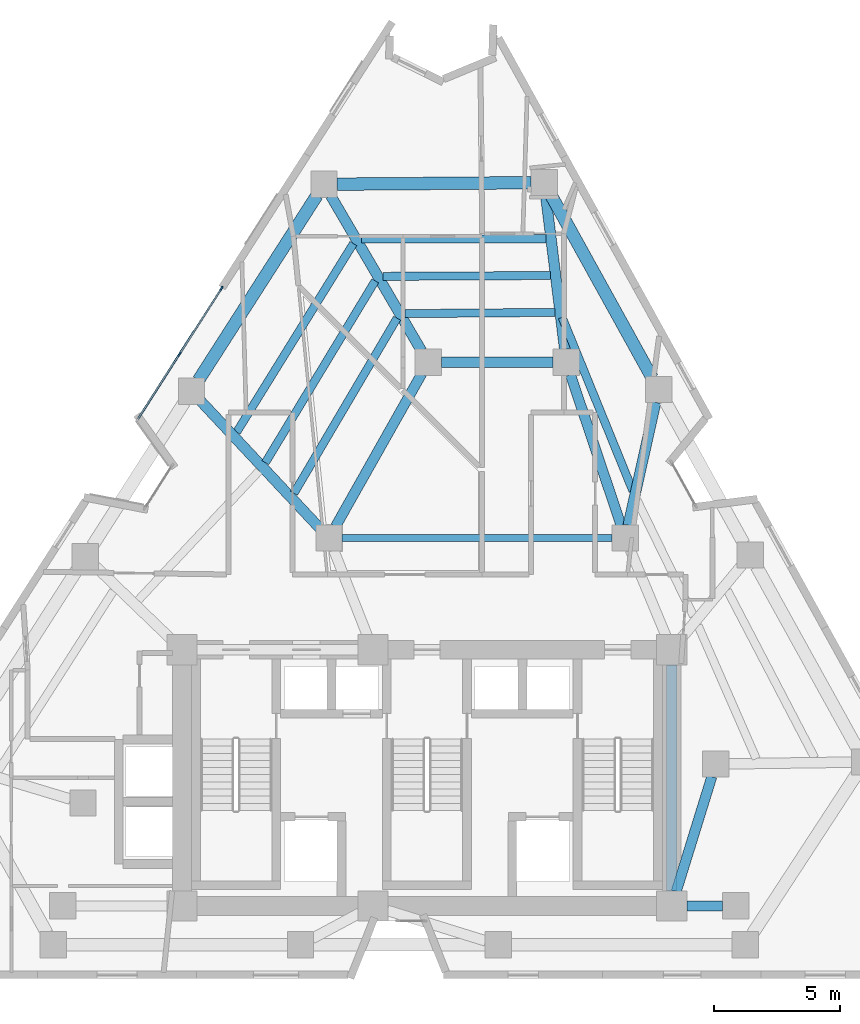
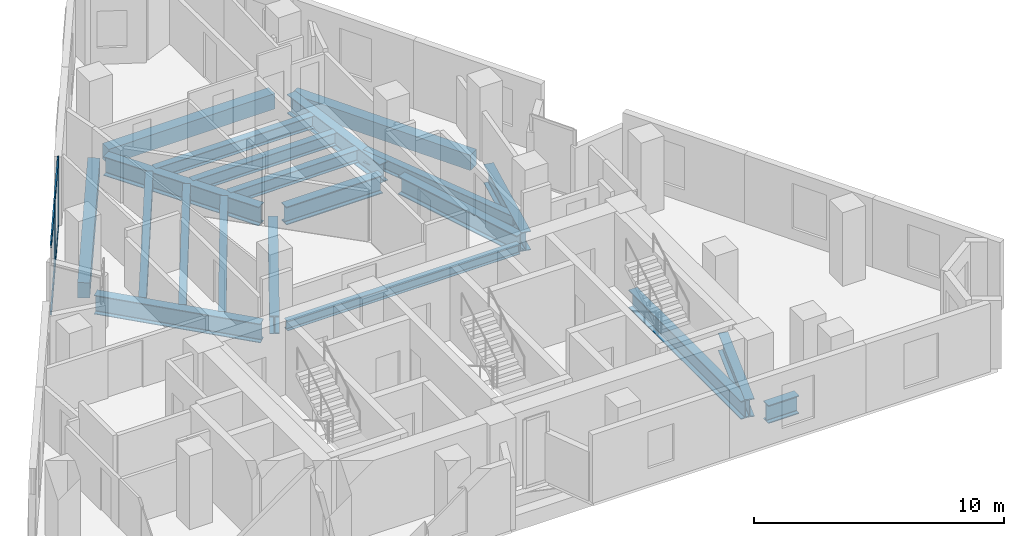
# One storey, part 3 of 10: 21 beams, 6 members, 1 element without a shape of its own.
"""IFC4 building model written with IfcOpenShell, lengths in metres."""

import ifcopenshell
import ifcopenshell.guid

model = None  # the IFC model being written
_history = None  # IfcOwnerHistory: only IFC2X3 demands one
_inside = {}  # id of a spatial element -> (the spatial element, [elements in it])
_under = {}  # id of a project, library or spatial element -> (it, [spatial elements below it])
_declared = {}  # id of a project -> (the project, [libraries it declares])
_typed = {}  # id of a type object -> (the type object, [elements of that type])
_made_of = {}  # id of a material, layer set ... -> (it, [elements and type objects made of it])


def new_model(schema):
    """Start an empty IFC model of exactly this schema.

    Asked for "IFC4X3", IfcOpenShell would pick the latest addendum, in which some entities
    have other attributes; the version numbers below select the first issue.
    IFC2X3 requires an IfcOwnerHistory on every rooted entity: one is made here for all.
    """
    global model, _history
    if schema == "IFC4X3":
        model = ifcopenshell.file(schema_version=(4, 3, 0, 0))
    else:
        model = ifcopenshell.file(schema=schema)
    _inside.clear()
    _under.clear()
    _declared.clear()
    _typed.clear()
    _made_of.clear()
    _history = None
    if model.schema == "IFC2X3":
        org = make("IfcOrganization", Name="unknown")
        user = make(
            "IfcPersonAndOrganization",
            ThePerson=make("IfcPerson", FamilyName="unknown"),
            TheOrganization=org,
        )
        app = make(
            "IfcApplication",
            ApplicationDeveloper=org,
            Version="unknown",
            ApplicationFullName="unknown",
            ApplicationIdentifier="unknown",
        )
        _history = make(
            "IfcOwnerHistory",
            OwningUser=user,
            OwningApplication=app,
            ChangeAction="ADDED",
            CreationDate=0,
        )
    return model


def make(cls, **values):
    """One entity of the class cls with the attributes given. An attribute that is None is left unset."""
    return model.create_entity(
        cls, **{name: value for name, value in values.items() if value is not None}
    )


def rooted(cls, **values):
    """An entity with a GlobalId (a new one), such as an element, a storey or a relation."""
    return make(cls, GlobalId=ifcopenshell.guid.new(), OwnerHistory=_history, **values)


def si_unit(unit_type, name, prefix=None):
    """IfcSIUnit, for example si_unit("LENGTHUNIT", "METRE", prefix="MILLI")."""
    return make("IfcSIUnit", UnitType=unit_type, Prefix=prefix, Name=name)


def assignment(units):
    """IfcUnitAssignment: the units of a project."""
    return None if units is None else make("IfcUnitAssignment", Units=units)


def point(xyz):
    """IfcCartesianPoint."""
    return None if xyz is None else make("IfcCartesianPoint", Coordinates=xyz)


def direction(xyz):
    """IfcDirection."""
    return None if xyz is None else make("IfcDirection", DirectionRatios=xyz)


def frame(location, z_axis=None, x_axis=None):
    """IfcAxis2Placement3D, a coordinate frame: its origin and axes. An axis left out is left unset."""
    return make(
        "IfcAxis2Placement3D",
        Location=point(location),
        Axis=direction(z_axis),
        RefDirection=direction(x_axis),
    )


def frame_2d(location, x_axis=None):
    """IfcAxis2Placement2D, a coordinate frame in the plane: its origin and x axis."""
    return make(
        "IfcAxis2Placement2D", Location=point(location), RefDirection=direction(x_axis)
    )


def origin():
    """The frame at (0, 0, 0) with its axes left unset."""
    return frame((0.0, 0.0, 0.0))


def origin_2d():
    """The frame at (0, 0) in the plane with its x axis left unset."""
    return frame_2d((0.0, 0.0))


def place(relative_to, where):
    """IfcLocalPlacement: puts the frame where relative to a parent placement (None: the world)."""
    return make(
        "IfcLocalPlacement", PlacementRelTo=relative_to, RelativePlacement=where
    )


def context(
    kind, dimensions, precision=None, world=None, true_north=None, identifier=None
):
    """IfcGeometricRepresentationContext, for example the 3D "Model" context."""
    return make(
        "IfcGeometricRepresentationContext",
        ContextIdentifier=identifier,
        ContextType=kind,
        CoordinateSpaceDimension=dimensions,
        Precision=precision,
        WorldCoordinateSystem=world,
        TrueNorth=true_north,
    )


def subcontext(parent, identifier, kind, view, scale=None):
    """IfcGeometricRepresentationSubContext, for example "Body" below "Model"."""
    return make(
        "IfcGeometricRepresentationSubContext",
        ContextIdentifier=identifier,
        ContextType=kind,
        ParentContext=parent,
        TargetScale=scale,
        TargetView=view,
    )


def project(units=None, contexts=None):
    """IfcProject with its units and contexts."""
    return rooted(
        "IfcProject",
        Name="project",
        RepresentationContexts=contexts,
        UnitsInContext=assignment(units),
    )


def spatial(cls, under=None, at=None, **own):
    """A site, building, storey or space (cls), placed at a placement, below another one or the project."""
    s = rooted(cls, ObjectPlacement=at, **own)
    if under is not None:
        _under.setdefault(under.id(), (under, []))[1].append(s)
    return s


def profile(cls, at=None, kind="AREA", **sizes):
    """A parametric profile (cls). Its sizes go by their IFC names, for example OverallWidth=200.0."""
    return make(cls, ProfileType=kind, Position=at, **sizes)


def rectangle(**sizes):
    """IfcRectangleProfileDef."""
    return profile("IfcRectangleProfileDef", **sizes)


def i_section(**sizes):
    """IfcIShapeProfileDef."""
    return profile("IfcIShapeProfileDef", **sizes)


def extrude(swept, where, along, depth):
    """IfcExtrudedAreaSolid: the profile swept, set in the frame where, extruded along a direction by depth."""
    return make(
        "IfcExtrudedAreaSolid",
        SweptArea=swept,
        Position=where,
        ExtrudedDirection=direction(along),
        Depth=depth,
    )


def shape(context_of_items, identifier, shape_type, items):
    """IfcShapeRepresentation: the items that make up one representation, for example the "Body"."""
    return make(
        "IfcShapeRepresentation",
        ContextOfItems=context_of_items,
        RepresentationIdentifier=identifier,
        RepresentationType=shape_type,
        Items=items,
    )


def material(Name=None, Category=None):
    """IfcMaterial."""
    return make("IfcMaterial", Name=Name, Category=Category)


def layer(
    of_material, thickness, ventilated=None, Name=None, Category=None, Priority=None
):
    """IfcMaterialLayer: one layer of a wall or slab, of a material (None: an air gap)."""
    return make(
        "IfcMaterialLayer",
        Material=of_material,
        LayerThickness=thickness,
        IsVentilated=ventilated,
        Name=Name,
        Category=Category,
        Priority=Priority,
    )


def layer_set(layers, Name=None):
    """IfcMaterialLayerSet."""
    return make("IfcMaterialLayerSet", MaterialLayers=layers, LayerSetName=Name)


def material_profile(
    of_material, cross_section, Name=None, Category=None, Priority=None
):
    """IfcMaterialProfile: a cross section and its material."""
    return make(
        "IfcMaterialProfile",
        Name=Name,
        Material=of_material,
        Profile=cross_section,
        Priority=Priority,
        Category=Category,
    )


def profile_set(profiles, Name=None, composite=None):
    """IfcMaterialProfileSet."""
    return make(
        "IfcMaterialProfileSet",
        Name=Name,
        MaterialProfiles=profiles,
        CompositeProfile=composite,
    )


def made_of(thing, what):
    """Note that an element or type object is made of a material, layer set ...; save() writes the relation."""
    if what is not None:
        _made_of.setdefault(what.id(), (what, []))[1].append(thing)
    return thing


def type_object(cls, material=None, **own):
    """A type object (cls), such as IfcWallType, which elements share."""
    return made_of(rooted(cls, **own), material)


def element(
    cls,
    number,
    at=None,
    inside=None,
    cuts=None,
    type_object=None,
    material=None,
    context=None,
    identifier="Body",
    shape_type=None,
    held_by="IfcProductDefinitionShape",
    body=None,
    shapes=None,
    **own,
):
    """One element of the class cls, such as IfcWall. Its Tag is "e" and its number.

    at: its placement. inside: the storey or other place that contains it. cuts: it is an
    opening in that element (IfcRelVoidsElement). A single representation is given by context,
    identifier, shape_type and body (its items); several are given by shapes. held_by: the class
    of the entity that holds the representations. save() writes the other relations.
    """
    e = rooted(cls, Tag="e%d" % number, ObjectPlacement=at, **own)
    if body is not None:
        shapes = [shape(context, identifier, shape_type, body)]
    if shapes is not None:
        e.Representation = make(held_by, Representations=shapes)
    if inside is not None:
        _inside.setdefault(inside.id(), (inside, []))[1].append(e)
    if cuts is not None:
        rooted(
            "IfcRelVoidsElement", RelatingBuildingElement=cuts, RelatedOpeningElement=e
        )
    if type_object is not None:
        _typed.setdefault(type_object.id(), (type_object, []))[1].append(e)
    return made_of(e, material)


def aggregate(whole, parts):
    """IfcRelAggregates: a whole, such as a stair, and the parts it consists of."""
    return rooted("IfcRelAggregates", RelatingObject=whole, RelatedObjects=parts)


def save(model, path):
    """Write the relations noted so far, then the file.

    IfcRelAggregates (storeys below a building ...), IfcRelContainedInSpatialStructure (elements
    in a storey), IfcRelDefinesByType, IfcRelAssociatesMaterial and IfcRelDeclares: one each for
    every whole, place, type object, material and project.
    """
    for whole, parts in _under.values():
        aggregate(whole, parts)
    for where, things in _inside.values():
        rooted(
            "IfcRelContainedInSpatialStructure",
            RelatedElements=things,
            RelatingStructure=where,
        )
    for kind, things in _typed.values():
        rooted("IfcRelDefinesByType", RelatedObjects=things, RelatingType=kind)
    for what, things in _made_of.values():
        rooted("IfcRelAssociatesMaterial", RelatedObjects=things, RelatingMaterial=what)
    for by, libraries in _declared.values():
        rooted("IfcRelDeclares", RelatingContext=by, RelatedDefinitions=libraries)
    model.write(path)


model = new_model("IFC4")

# Units and contexts
model_context = context("Model", 3, precision=1e-05, world=origin(), true_north=direction((0.0, 1.0)))
body_context = subcontext(model_context, "Body", "Model", "MODEL_VIEW")
ifc_project = project(units=[si_unit("LENGTHUNIT", "METRE"), si_unit("AREAUNIT", "SQUARE_METRE"), si_unit("VOLUMEUNIT", "CUBIC_METRE"), si_unit("PLANEANGLEUNIT", "RADIAN"), si_unit("MASSUNIT", "GRAM", prefix="KILO")], contexts=[model_context])

# Site, building, storey
site_placement = place(None, origin())
site = spatial("IfcSite", under=ifc_project, at=site_placement, CompositionType="ELEMENT")
building_placement = place(site_placement, origin())
building = spatial("IfcBuilding", under=site, at=building_placement, Name="Almagre Mirador Tower", CompositionType="ELEMENT")
storey_placement = place(building_placement, frame((0.0, 0.0, 164.39990234375)))
storey = spatial("IfcBuildingStorey", under=building, at=storey_placement, Name="L42", CompositionType="ELEMENT", Elevation=164.39990234375)

# Beams
ifc_material_1 = material(Name="Steel ASTM A992 Grade 50", Category="steel")
ifc_material_profile_1 = material_profile(ifc_material_1, i_section(OverallWidth=0.281982421875, OverallDepth=0.467041015625, WebThickness=0.01220703125, FlangeThickness=0.01953125, FilletRadius=0.01611328125, at=origin_2d()), Name="W18X86")
ifc_profile_set_1 = profile_set([ifc_material_profile_1], Name="Steel ASTM A992 Grade 50")
beam_type_1 = type_object("IfcBeamType", Name="BM-BAL-W18X86", PredefinedType="JOIST", material=ifc_profile_set_1)
beam_1_placement = place(storey_placement, frame((33.925048828125, 19.199951171875, -0.4833984375), z_axis=(1.0, 0.0, 0.0), x_axis=(0.0, 1.0, 0.0)))
element("IfcBeam", 1, at=beam_1_placement, inside=storey, type_object=beam_type_1, Name="L42 secondary header beam BB-01", PredefinedType="JOIST", context=body_context, shape_type="SweptSolid", body=[
    extrude(i_section(OverallWidth=0.281982421875, OverallDepth=0.467041015625, WebThickness=0.01220703125, FlangeThickness=0.01953125, FilletRadius=0.01611328125, at=origin_2d()), origin(), (0.0, 0.0, 1.0), 10.75),
])
ifc_material_2 = material(Name="Steel ASTM A992 Grade 50", Category="steel")
ifc_material_profile_2 = material_profile(ifc_material_2, i_section(OverallWidth=0.323974609375, OverallDepth=0.611083984375, WebThickness=0.0126953125, FlangeThickness=0.01904296875, FilletRadius=0.02001953125, at=origin_2d()), Name="W24X104")
ifc_profile_set_2 = profile_set([ifc_material_profile_2], Name="Steel ASTM A992 Grade 50")
beam_type_2 = type_object("IfcBeamType", Name="BM-JST-W24X104", PredefinedType="JOIST", material=ifc_profile_set_2)
beam_2_placement = place(storey_placement, frame((45.4990234375, 21.07958984375, -0.555419921875), z_axis=(-0.377145237856, 0.926154128406, 0.0), x_axis=(-0.926154128406, -0.377145237856, 0.0)))
element("IfcBeam", 2, at=beam_2_placement, inside=storey, type_object=beam_type_2, Name="L42 secondary floor joist PC07-PC08.3", PredefinedType="JOIST", context=body_context, shape_type="SweptSolid", body=[
    extrude(i_section(OverallWidth=0.323974609375, OverallDepth=0.611083984375, WebThickness=0.0126953125, FlangeThickness=0.01904296875, FilletRadius=0.02001953125, at=origin_2d()), origin(), (0.0, 0.0, 1.0), 7.46630859375),
])
beam_3_placement = place(storey_placement, frame((42.032958984375, 31.121826171875, -0.555419921875), z_axis=(-0.999997444767, -0.002260632521, 0.0), x_axis=(0.002260632521, -0.999997444767, 0.0)))
element("IfcBeam", 3, at=beam_3_placement, inside=storey, type_object=beam_type_2, Name="L42 secondary floor joist PC08-PC09.1", PredefinedType="JOIST", context=body_context, shape_type="SweptSolid", body=[
    extrude(i_section(OverallWidth=0.323974609375, OverallDepth=0.611083984375, WebThickness=0.0126953125, FlangeThickness=0.01904296875, FilletRadius=0.02001953125, at=origin_2d()), origin(), (0.0, 0.0, 1.0), 7.34375),
])
beam_4_placement = place(storey_placement, frame((42.214111328125, 29.654296875, -0.555419921875), z_axis=(-0.999988103405, -0.004877811845, 0.0), x_axis=(0.004877811845, -0.999988103405, 0.0)))
element("IfcBeam", 4, at=beam_4_placement, inside=storey, type_object=beam_type_2, Name="L42 secondary floor joist PC08-PC09.2", PredefinedType="JOIST", context=body_context, shape_type="SweptSolid", body=[
    extrude(i_section(OverallWidth=0.323974609375, OverallDepth=0.611083984375, WebThickness=0.0126953125, FlangeThickness=0.01904296875, FilletRadius=0.02001953125, at=origin_2d()), origin(), (0.0, 0.0, 1.0), 6.65673828125),
])
beam_5_placement = place(storey_placement, frame((42.3955078125, 28.186279296875, -0.555419921875), z_axis=(-0.999968205338, -0.007974228113, 0.0), x_axis=(0.007974228113, -0.999968205338, 0.0)))
element("IfcBeam", 5, at=beam_5_placement, inside=storey, type_object=beam_type_2, Name="L42 secondary floor joist PC08-PC09.3", PredefinedType="JOIST", context=body_context, shape_type="SweptSolid", body=[
    extrude(i_section(OverallWidth=0.323974609375, OverallDepth=0.611083984375, WebThickness=0.0126953125, FlangeThickness=0.01904296875, FilletRadius=0.02001953125, at=origin_2d()), origin(), (0.0, 0.0, 1.0), 5.97021484375),
])
beam_6_placement = place(storey_placement, frame((34.3701171875, 30.927001953125, -0.555419921875), z_axis=(-0.526297490508, -0.850300506577, 0.0), x_axis=(0.850300506577, -0.526297490508, 0.0)))
element("IfcBeam", 6, at=beam_6_placement, inside=storey, type_object=beam_type_2, Name="L42 secondary floor joist PC09-PC10.1", PredefinedType="JOIST", context=body_context, shape_type="SweptSolid", body=[
    extrude(i_section(OverallWidth=0.323974609375, OverallDepth=0.611083984375, WebThickness=0.0126953125, FlangeThickness=0.01904296875, FilletRadius=0.02001953125, at=origin_2d()), origin(), (0.0, 0.0, 1.0), 8.828125),
])
beam_7_placement = place(storey_placement, frame((35.240234375, 29.44189453125, -0.555419921875), z_axis=(-0.5172600995, -0.855828247644, 0.0), x_axis=(0.855828247644, -0.5172600995, 0.0)))
element("IfcBeam", 7, at=beam_7_placement, inside=storey, type_object=beam_type_2, Name="L42 secondary floor joist PC09-PC10.2", PredefinedType="JOIST", context=body_context, shape_type="SweptSolid", body=[
    extrude(i_section(OverallWidth=0.323974609375, OverallDepth=0.611083984375, WebThickness=0.0126953125, FlangeThickness=0.01904296875, FilletRadius=0.02001953125, at=origin_2d()), origin(), (0.0, 0.0, 1.0), 8.4599609375),
])
beam_8_placement = place(storey_placement, frame((36.110595703125, 27.956787109375, -0.555419921875), z_axis=(-0.507370781605, -0.861727851455, 0.0), x_axis=(0.861727851455, -0.507370781605, 0.0)))
element("IfcBeam", 8, at=beam_8_placement, inside=storey, type_object=beam_type_2, Name="L42 secondary floor joist PC09-PC10.3", PredefinedType="JOIST", context=body_context, shape_type="SweptSolid", body=[
    extrude(i_section(OverallWidth=0.323974609375, OverallDepth=0.611083984375, WebThickness=0.0126953125, FlangeThickness=0.01904296875, FilletRadius=0.02001953125, at=origin_2d()), origin(), (0.0, 0.0, 1.0), 8.092529296875),
])
ifc_material_3 = material(Name="Precast concrete C50/60", Category="concrete")
ifc_material_profile_3 = material_profile(ifc_material_3, rectangle(XDim=0.5, YDim=0.75, at=origin_2d()), Name="RC500X750")
ifc_profile_set_3 = profile_set([ifc_material_profile_3], Name="Precast concrete C50/60")
beam_type_3 = type_object("IfcBeamType", Name="BM-SPN-RC500X750", PredefinedType="SPANDREL", material=ifc_profile_set_3)
beam_9_placement = place(storey_placement, frame((46.271728515625, 25.574462890625, -0.625), z_axis=(-0.484205406649, 0.874954355479, 0.0), x_axis=(-0.874954355479, -0.484205406649, 0.0)))
element("IfcBeam", 9, at=beam_9_placement, inside=storey, type_object=beam_type_3, Name="L42 perimeter spandrel beam PC07-PC08", PredefinedType="SPANDREL", context=body_context, shape_type="SweptSolid", body=[
    extrude(rectangle(XDim=0.5, YDim=0.75, at=origin_2d()), origin(), (0.0, 0.0, 1.0), 8.367431640625),
])
beam_10_placement = place(storey_placement, frame((41.44091796875, 33.35107421875, -0.625), z_axis=(-0.999971631183, -0.007532385372, 0.0), x_axis=(0.007532385372, -0.999971631183, 0.0)))
element("IfcBeam", 10, at=beam_10_placement, inside=storey, type_object=beam_type_3, Name="L42 perimeter spandrel beam PC08-PC09", PredefinedType="SPANDREL", context=body_context, shape_type="SweptSolid", body=[
    extrude(rectangle(XDim=0.5, YDim=0.75, at=origin_2d()), origin(), (0.0, 0.0, 1.0), 7.714111328125),
])
beam_11_placement = place(storey_placement, frame((32.918701171875, 32.846923828125, -0.625), z_axis=(-0.539525433851, -0.841969302426, 0.0), x_axis=(0.841969302426, -0.539525433851, 0.0)))
element("IfcBeam", 11, at=beam_11_placement, inside=storey, type_object=beam_type_3, Name="L42 perimeter spandrel beam PC09-PC10", PredefinedType="SPANDREL", context=body_context, shape_type="SweptSolid", body=[
    extrude(rectangle(XDim=0.5, YDim=0.75, at=origin_2d()), origin(), (0.0, 0.0, 1.0), 8.736572265625),
])
ifc_material_4 = material(Name="Steel ASTM A992 Grade 50", Category="steel")
ifc_material_profile_4 = material_profile(ifc_material_4, i_section(OverallWidth=0.404052734375, OverallDepth=0.884033203125, WebThickness=0.0244140625, FlangeThickness=0.0439453125, FilletRadius=0.02490234375, at=origin_2d()), Name="W33X291")
ifc_profile_set_4 = profile_set([ifc_material_profile_4], Name="Steel ASTM A992 Grade 50")
beam_type_4 = type_object("IfcBeamType", Name="BM-STL-W33X291", PredefinedType="BEAM", material=ifc_profile_set_4)
beam_12_placement = place(storey_placement, frame((37.875, 26.199951171875, -0.69189453125), z_axis=(1.0, 0.0, 0.0), x_axis=(0.0, 1.0, 0.0)))
element("IfcBeam", 12, at=beam_12_placement, inside=storey, type_object=beam_type_4, Name="L42 core tie girder MC7-MC6", PredefinedType="BEAM", context=body_context, shape_type="SweptSolid", body=[
    extrude(i_section(OverallWidth=0.404052734375, OverallDepth=0.884033203125, WebThickness=0.0244140625, FlangeThickness=0.0439453125, FilletRadius=0.02490234375, at=origin_2d()), origin(), (0.0, 0.0, 1.0), 4.449951171875),
])
beam_13_placement = place(storey_placement, frame((47.050048828125, 5.14990234375, -0.69189453125), z_axis=(0.0, 1.0, 0.0), x_axis=(-1.0, 0.0, 0.0)))
element("IfcBeam", 13, at=beam_13_placement, inside=storey, type_object=beam_type_4, Name="L42 core tie girder CC3-CC6", PredefinedType="BEAM", context=body_context, shape_type="SweptSolid", body=[
    extrude(i_section(OverallWidth=0.404052734375, OverallDepth=0.884033203125, WebThickness=0.0244140625, FlangeThickness=0.0439453125, FilletRadius=0.02490234375, at=origin_2d()), origin(), (0.0, 0.0, 1.0), 9.0),
])
beam_14_placement = place(storey_placement, frame((49.074951171875, 4.550048828125, -0.69189453125), z_axis=(-1.0, 0.0, 0.0), x_axis=(0.0, -1.0, 0.0)))
element("IfcBeam", 14, at=beam_14_placement, inside=storey, type_object=beam_type_4, Name="L42 core tie girder MC2-CC3", PredefinedType="BEAM", context=body_context, shape_type="SweptSolid", body=[
    extrude(i_section(OverallWidth=0.404052734375, OverallDepth=0.884033203125, WebThickness=0.0244140625, FlangeThickness=0.0439453125, FilletRadius=0.02490234375, at=origin_2d()), origin(), (0.0, 0.0, 1.0), 1.425048828125),
])
beam_15_placement = place(storey_placement, frame((48.644775390625, 9.698486328125, -0.69189453125), z_axis=(-0.295879743348, -0.955225197258, 0.0), x_axis=(0.955225197258, -0.295879743348, 0.0)))
element("IfcBeam", 15, at=beam_15_placement, inside=storey, type_object=beam_type_4, Name="L42 core tie girder MC3-CC3", PredefinedType="BEAM", context=body_context, shape_type="SweptSolid", body=[
    extrude(i_section(OverallWidth=0.404052734375, OverallDepth=0.884033203125, WebThickness=0.0244140625, FlangeThickness=0.0439453125, FilletRadius=0.02490234375, at=origin_2d()), origin(), (0.0, 0.0, 1.0), 4.789794921875),
])
beam_16_placement = place(storey_placement, frame((43.01708984375, 25.702392578125, -0.69189453125), z_axis=(0.318262189587, -0.948002731367, 0.0), x_axis=(0.948002731367, 0.318262189587, 0.0)))
element("IfcBeam", 16, at=beam_16_placement, inside=storey, type_object=beam_type_4, Name="L42 core tie girder MC6-MC5", PredefinedType="BEAM", context=body_context, shape_type="SweptSolid", body=[
    extrude(i_section(OverallWidth=0.404052734375, OverallDepth=0.884033203125, WebThickness=0.0244140625, FlangeThickness=0.0439453125, FilletRadius=0.02490234375, at=origin_2d()), origin(), (0.0, 0.0, 1.0), 6.333984375),
])
beam_17_placement = place(storey_placement, frame((37.092041015625, 25.742919921875, -0.69189453125), z_axis=(-0.491443510044, -0.870909453638, 0.0), x_axis=(0.870909453638, -0.491443510044, 0.0)))
element("IfcBeam", 17, at=beam_17_placement, inside=storey, type_object=beam_type_4, Name="L42 core tie girder MC7-MC8", PredefinedType="BEAM", context=body_context, shape_type="SweptSolid", body=[
    extrude(i_section(OverallWidth=0.404052734375, OverallDepth=0.884033203125, WebThickness=0.0244140625, FlangeThickness=0.0439453125, FilletRadius=0.02490234375, at=origin_2d()), origin(), (0.0, 0.0, 1.0), 6.98779296875),
])
ifc_material_5 = material(Name="Steel ASTM A992 Grade 50", Category="steel")
ifc_material_profile_5 = material_profile(ifc_material_5, i_section(OverallWidth=0.41796875, OverallDepth=0.927001953125, WebThickness=0.019287109375, FlangeThickness=0.031982421875, FilletRadius=0.028076171875, at=origin_2d()), Name="W36X231")
ifc_profile_set_5 = profile_set([ifc_material_profile_5], Name="Steel ASTM A992 Grade 50")
beam_type_5 = type_object("IfcBeamType", Name="BM-STL-W36X231", PredefinedType="BEAM", material=ifc_profile_set_5)
beam_18_placement = place(storey_placement, frame((46.4111328125, 24.602783203125, -0.71337890625), z_axis=(-0.21877143467, -0.975776131791, 0.0), x_axis=(0.975776131791, -0.21877143467, 0.0)))
element("IfcBeam", 18, at=beam_18_placement, inside=storey, type_object=beam_type_5, Name="L42 radial floor girder PC07-MC5", PredefinedType="BEAM", context=body_context, shape_type="SweptSolid", body=[
    extrude(i_section(OverallWidth=0.41796875, OverallDepth=0.927001953125, WebThickness=0.019287109375, FlangeThickness=0.031982421875, FilletRadius=0.028076171875, at=origin_2d()), origin(), (0.0, 0.0, 1.0), 5.01171875),
])
beam_19_placement = place(storey_placement, frame((42.030517578125, 32.833984375, -0.71337890625), z_axis=(0.122595496619, -0.99245672158, 0.0), x_axis=(0.99245672158, 0.122595496619, 0.0)))
element("IfcBeam", 19, at=beam_19_placement, inside=storey, type_object=beam_type_5, Name="L42 radial floor girder PC08-MC6", PredefinedType="BEAM", context=body_context, shape_type="SweptSolid", body=[
    extrude(i_section(OverallWidth=0.41796875, OverallDepth=0.927001953125, WebThickness=0.019287109375, FlangeThickness=0.031982421875, FilletRadius=0.028076171875, at=origin_2d()), origin(), (0.0, 0.0, 1.0), 6.159423828125),
])
beam_20_placement = place(storey_placement, frame((33.467041015625, 32.8359375, -0.71337890625), z_axis=(0.50504237399, -0.863094548977, 0.0), x_axis=(0.863094548977, 0.50504237399, 0.0)))
element("IfcBeam", 20, at=beam_20_placement, inside=storey, type_object=beam_type_5, Name="L42 radial floor girder PC09-MC7", PredefinedType="BEAM", context=body_context, shape_type="SweptSolid", body=[
    extrude(i_section(OverallWidth=0.41796875, OverallDepth=0.927001953125, WebThickness=0.019287109375, FlangeThickness=0.031982421875, FilletRadius=0.028076171875, at=origin_2d()), origin(), (0.0, 0.0, 1.0), 7.16357421875),
])
beam_21_placement = place(storey_placement, frame((28.281005859375, 24.665771484375, -0.71337890625), z_axis=(0.683570174234, -0.729884797004, 0.0), x_axis=(0.729884797004, 0.683570174234, 0.0)))
element("IfcBeam", 21, at=beam_21_placement, inside=storey, type_object=beam_type_5, Name="L42 radial floor girder PC10-MC8", PredefinedType="BEAM", context=body_context, shape_type="SweptSolid", body=[
    extrude(i_section(OverallWidth=0.41796875, OverallDepth=0.927001953125, WebThickness=0.019287109375, FlangeThickness=0.031982421875, FilletRadius=0.028076171875, at=origin_2d()), origin(), (0.0, 0.0, 1.0), 6.96337890625),
])

# Curtain wall, members
ifc_material_6 = material(Name="Black anodized aluminium", Category="aluminium")
ifc_layer = layer(ifc_material_6, 0.199951171875)
ifc_layer_set = layer_set([ifc_layer], Name="Black anodized aluminium")
curtain_wall_type = type_object("IfcCurtainWallType", Name="CW-RES-H-SYS", PredefinedType="NOTDEFINED", material=ifc_layer_set)
curtain_wall_placement = place(storey_placement, origin())
curtain_wall = element("IfcCurtainWall", 22, at=curtain_wall_placement, inside=storey, type_object=curtain_wall_type, Name="L42 curtain wall run 02", PredefinedType="NOTDEFINED")
ifc_material_7 = material(Name="Black anodized aluminium", Category="aluminium")
ifc_material_profile_6 = material_profile(ifc_material_7, rectangle(XDim=0.06494140625, YDim=0.179931640625, at=origin_2d()), Name="CWM65X180")
ifc_profile_set_6 = profile_set([ifc_material_profile_6], Name="Black anodized aluminium")
member_type_1 = type_object("IfcMemberType", Name="MBR-CWM65X180", PredefinedType="MULLION", material=ifc_profile_set_6)
member_1_placement = place(storey_placement, frame((27.444091796875, 26.52685546875, 0.0), z_axis=(0.0, 0.0, 1.0), x_axis=(-0.841971477042, 0.539522040187, 0.0)))
member_1 = element("IfcMember", 23, at=member_1_placement, type_object=member_type_1, Name="CW-3 mullion 2", PredefinedType="MULLION", context=body_context, shape_type="SweptSolid", body=[
    extrude(rectangle(XDim=0.06494140625, YDim=0.179931640625, at=origin_2d()), origin(), (0.0, 0.0, 1.0), 3.35009765625),
])
member_2_placement = place(storey_placement, frame((29.121337890625, 29.14404296875, 0.0), z_axis=(0.0, 0.0, 1.0), x_axis=(-0.841971477042, 0.539522040187, 0.0)))
member_2 = element("IfcMember", 24, at=member_2_placement, type_object=member_type_1, Name="CW-3 mullion 3", PredefinedType="MULLION", context=body_context, shape_type="SweptSolid", body=[
    extrude(rectangle(XDim=0.06494140625, YDim=0.179931640625, at=origin_2d()), origin(), (0.0, 0.0, 1.0), 3.35009765625),
])
ifc_material_8 = material(Name="Black anodized aluminium", Category="aluminium")
ifc_material_profile_7 = material_profile(ifc_material_8, rectangle(XDim=0.06494140625, YDim=0.14990234375, at=origin_2d()), Name="CWT65X150")
ifc_profile_set_7 = profile_set([ifc_material_profile_7], Name="Black anodized aluminium")
member_type_2 = type_object("IfcMemberType", Name="MBR-CWT65X150", PredefinedType="USERDEFINED", material=ifc_profile_set_7)
member_3_placement = place(storey_placement, frame((25.78466796875, 23.936767578125, 0.03271484375), z_axis=(0.539483867377, 0.841995936356, 0.0), x_axis=(-0.841995936356, 0.539483867377, 0.0)))
member_3 = element("IfcMember", 25, at=member_3_placement, type_object=member_type_2, Name="CW-3 transom 1.1", ObjectType="TRANSOM", PredefinedType="USERDEFINED", context=body_context, shape_type="SweptSolid", body=[
    extrude(rectangle(XDim=0.06494140625, YDim=0.14990234375, at=origin_2d()), origin(), (0.0, 0.0, 1.0), 3.04345703125),
])
member_4_placement = place(storey_placement, frame((25.78466796875, 23.936767578125, 3.317626953125), z_axis=(0.539483867377, 0.841995936356, 0.0), x_axis=(-0.841995936356, 0.539483867377, 0.0)))
member_4 = element("IfcMember", 26, at=member_4_placement, type_object=member_type_2, Name="CW-3 transom 1.2", ObjectType="TRANSOM", PredefinedType="USERDEFINED", context=body_context, shape_type="SweptSolid", body=[
    extrude(rectangle(XDim=0.06494140625, YDim=0.14990234375, at=origin_2d()), origin(), (0.0, 0.0, 1.0), 3.04345703125),
])
member_5_placement = place(storey_placement, frame((27.461669921875, 26.55419921875, 0.03271484375), z_axis=(0.539540736689, 0.841959496326, 0.0), x_axis=(-0.841959496326, 0.539540736689, 0.0)))
member_5 = element("IfcMember", 27, at=member_5_placement, type_object=member_type_2, Name="CW-3 transom 2.1", ObjectType="TRANSOM", PredefinedType="USERDEFINED", context=body_context, shape_type="SweptSolid", body=[
    extrude(rectangle(XDim=0.06494140625, YDim=0.14990234375, at=origin_2d()), origin(), (0.0, 0.0, 1.0), 3.04345703125),
])
member_6_placement = place(storey_placement, frame((27.461669921875, 26.55419921875, 3.317626953125), z_axis=(0.539540736689, 0.841959496326, 0.0), x_axis=(-0.841959496326, 0.539540736689, 0.0)))
member_6 = element("IfcMember", 28, at=member_6_placement, type_object=member_type_2, Name="CW-3 transom 2.2", ObjectType="TRANSOM", PredefinedType="USERDEFINED", context=body_context, shape_type="SweptSolid", body=[
    extrude(rectangle(XDim=0.06494140625, YDim=0.14990234375, at=origin_2d()), origin(), (0.0, 0.0, 1.0), 3.04345703125),
])
aggregate(curtain_wall, [member_1, member_2, member_3, member_4, member_5, member_6])

save(model, "model.ifc")
